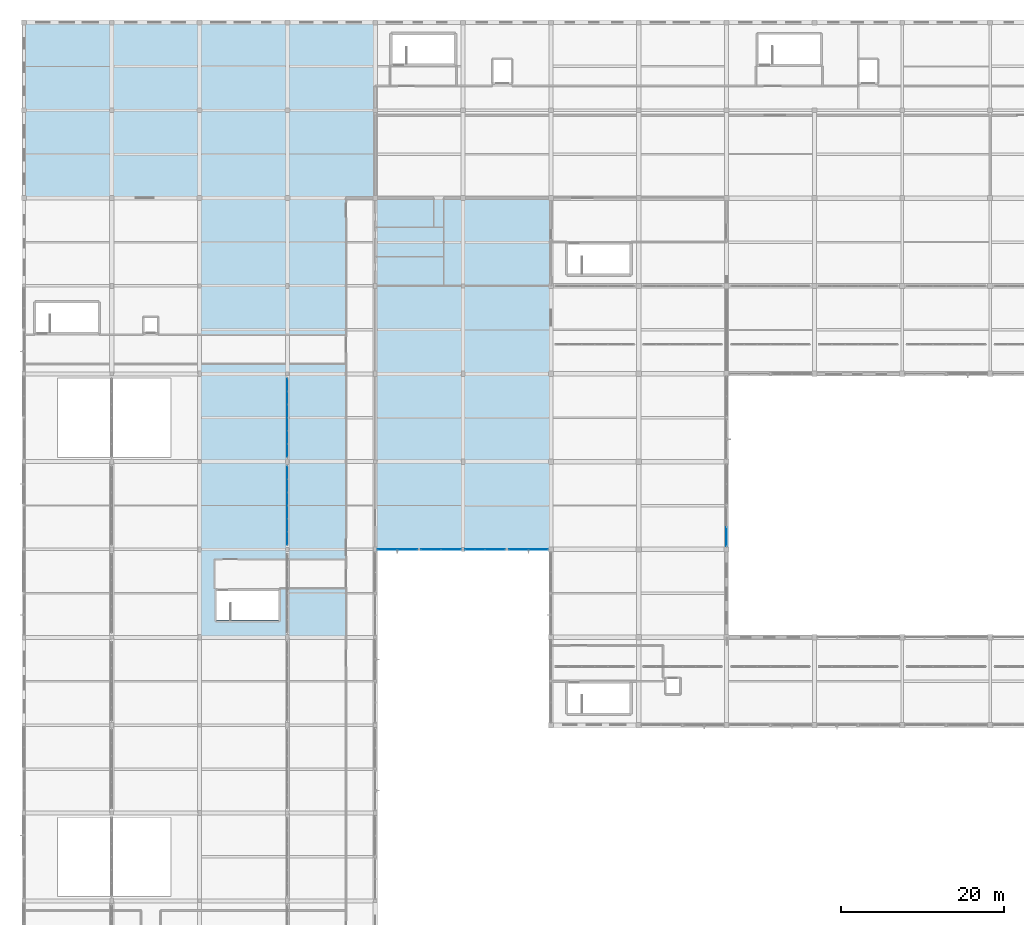
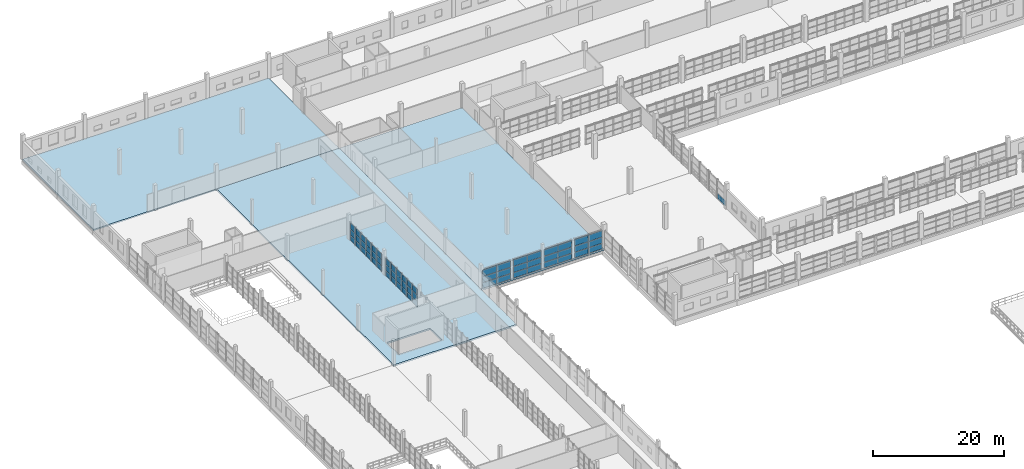
# One storey, part 90 of 142: 61 plates, 3 slabs, 7 elements without a shape of their own.
"""IFC4 building model written with IfcOpenShell, lengths in metres."""

from ifc_helpers import new_model, si_unit, direction, frame, origin, origin_2d, place, context, subcontext, project, spatial, polyline, rectangle, outline, extrude, material, layer, layer_set, type_object, element, aggregate, save


model = new_model("IFC4")

# Units and contexts
model_context = context("Model", 3, precision=1e-05, world=origin(), true_north=direction((0.0, 1.0)))
body_context = subcontext(model_context, "Body", "Model", "MODEL_VIEW")
ifc_project = project(units=[si_unit("LENGTHUNIT", "METRE"), si_unit("AREAUNIT", "SQUARE_METRE"), si_unit("VOLUMEUNIT", "CUBIC_METRE"), si_unit("PLANEANGLEUNIT", "RADIAN"), si_unit("MASSUNIT", "GRAM", prefix="KILO")], contexts=[model_context])

# Site, building, storey
site_placement = place(None, origin())
site = spatial("IfcSite", under=ifc_project, at=site_placement, CompositionType="ELEMENT")
building_placement = place(site_placement, origin())
building = spatial("IfcBuilding", under=site, at=building_placement, Name="Zwinboog Wholesale Market", CompositionType="ELEMENT")
storey_placement = place(building_placement, frame((0.0, 0.0, 5.39990234375)))
storey = spatial("IfcBuildingStorey", under=building, at=storey_placement, Name="L01", CompositionType="ELEMENT", Elevation=5.39990234375)

# Slabs
ifc_material_1 = material(Name="Precast concrete C45/55", Category="concrete")
ifc_layer_1 = layer(ifc_material_1, 0.2548828125)
ifc_layer_set_1 = layer_set([ifc_layer_1], Name="Precast concrete C45/55")
slab_type_1 = type_object("IfcSlabType", Name="SLT-FL-255", PredefinedType="FLOOR", material=ifc_layer_set_1)
slab_1_placement = place(storey_placement, frame((0.0, 0.0, -0.2548828125)))
element("IfcSlab", 1, at=slab_1_placement, inside=storey, type_object=slab_type_1, Name="SF-255 (SLB-L01-043)", PredefinedType="FLOOR", context=body_context, shape_type="SweptSolid", body=[
    extrude(outline(polyline([(0.0, 108.0), (43.199951171875, 108.0), (43.199951171875, 129.60009765625), (0.0, 129.60009765625), (0.0, 108.0)])), origin(), (0.0, 0.0, 1.0), 0.2548828125),
])
ifc_layer_2 = layer(ifc_material_1, 0.304931640625)
ifc_layer_set_2 = layer_set([ifc_layer_2], Name="Precast concrete C45/55")
slab_type_2 = type_object("IfcSlabType", Name="SLT-FL-305", PredefinedType="FLOOR", material=ifc_layer_set_2)
slab_2_placement = place(storey_placement, frame((0.0, 0.0, -0.304931640625)))
element("IfcSlab", 2, at=slab_2_placement, inside=storey, type_object=slab_type_2, Name="SF-305 (SLB-L01-033)", PredefinedType="FLOOR", context=body_context, shape_type="SweptSolid", body=[
    extrude(outline(polyline([(21.60009765625, 54.0), (43.199951171875, 54.0), (43.199951171875, 108.0), (21.60009765625, 108.0), (21.60009765625, 54.0)]), holes=[polyline([(23.699951171875, 56.10009765625), (31.300048828125, 56.10009765625), (31.300048828125, 59.699951171875), (23.699951171875, 59.699951171875), (23.699951171875, 56.10009765625)])]), origin(), (0.0, 0.0, 1.0), 0.304931640625),
])
ifc_layer_3 = layer(ifc_material_1, 0.33203125)
ifc_layer_set_3 = layer_set([ifc_layer_3], Name="Precast concrete C45/55")
slab_type_3 = type_object("IfcSlabType", Name="SLT-FL-332", PredefinedType="FLOOR", material=ifc_layer_set_3)
slab_3_placement = place(storey_placement, frame((0.0, 0.0, -0.331787109375)))
element("IfcSlab", 3, at=slab_3_placement, inside=storey, type_object=slab_type_3, Name="SF-332 (SLB-L01-034)", PredefinedType="FLOOR", context=body_context, shape_type="SweptSolid", body=[
    extrude(outline(polyline([(43.199951171875, 64.800048828125), (64.800048828125, 64.800048828125), (64.800048828125, 108.0), (43.199951171875, 108.0), (43.199951171875, 64.800048828125)])), origin(), (0.0, 0.0, 1.0), 0.331787109375),
])

# Curtain wall, plates
ifc_material_2 = material(Name="Aluminium thermally broken curtain wall", Category="aluminium")
curtain_wall_type_1 = type_object("IfcCurtainWallType", Name="CWT-HALL-24", PredefinedType="USERDEFINED", material=ifc_material_2)
curtain_wall_1_placement = place(storey_placement, origin())
curtain_wall_1 = element("IfcCurtainWall", 4, at=curtain_wall_1_placement, inside=storey, type_object=curtain_wall_type_1, Name="CW-03 (CW-L01-081)", ObjectType="UNITIZED_CURTAIN_WALL", PredefinedType="USERDEFINED")
ifc_material_3 = material(Name="Double low-e insulated glazing", Category="glass")
ifc_layer_4 = layer(ifc_material_3, 0.031982421875)
ifc_layer_set_4 = layer_set([ifc_layer_4], Name="Double low-e insulated glazing")
plate_type_1 = type_object("IfcPlateType", Name="CWP-IGU-32", PredefinedType="CURTAIN_PANEL", material=ifc_layer_set_4)
plate_1_placement = place(storey_placement, frame((44.68115234375, 64.800048828125, 0.065185546875), z_axis=(0.0, 0.0, 1.0), x_axis=(1.0, 0.0, 0.0)))
plate_1 = element("IfcPlate", 5, at=plate_1_placement, type_object=plate_type_1, Name="CW-03 panel 1.1", PredefinedType="CURTAIN_PANEL", context=body_context, shape_type="SweptSolid", body=[
    extrude(rectangle(XDim=2.392578125, YDim=0.031982421875, at=origin_2d()), origin(), (0.0, 0.0, 1.0), 1.00244140625),
])
plate_2_placement = place(storey_placement, frame((44.68115234375, 64.800048828125, 1.132568359375), z_axis=(0.0, 0.0, 1.0), x_axis=(1.0, 0.0, 0.0)))
plate_2 = element("IfcPlate", 6, at=plate_2_placement, type_object=plate_type_1, Name="CW-03 panel 1.2", PredefinedType="CURTAIN_PANEL", context=body_context, shape_type="SweptSolid", body=[
    extrude(rectangle(XDim=2.392578125, YDim=0.031982421875, at=origin_2d()), origin(), (0.0, 0.0, 1.0), 1.0849609375),
])
plate_3_placement = place(storey_placement, frame((44.68115234375, 64.800048828125, 2.282470703125), z_axis=(0.0, 0.0, 1.0), x_axis=(1.0, 0.0, 0.0)))
plate_3 = element("IfcPlate", 7, at=plate_3_placement, type_object=plate_type_1, Name="CW-03 panel 1.3", PredefinedType="CURTAIN_PANEL", context=body_context, shape_type="SweptSolid", body=[
    extrude(rectangle(XDim=2.392578125, YDim=0.031982421875, at=origin_2d()), origin(), (0.0, 0.0, 1.0), 1.1826171875),
])
plate_4_placement = place(storey_placement, frame((47.138671875, 64.800048828125, 0.065185546875), z_axis=(0.0, 0.0, 1.0), x_axis=(1.0, 0.0, 0.0)))
plate_4 = element("IfcPlate", 8, at=plate_4_placement, type_object=plate_type_1, Name="CW-03 panel 2.1", PredefinedType="CURTAIN_PANEL", context=body_context, shape_type="SweptSolid", body=[
    extrude(rectangle(XDim=2.392578125, YDim=0.031982421875, at=origin_2d()), origin(), (0.0, 0.0, 1.0), 1.00244140625),
])
plate_5_placement = place(storey_placement, frame((47.138671875, 64.800048828125, 1.132568359375), z_axis=(0.0, 0.0, 1.0), x_axis=(1.0, 0.0, 0.0)))
plate_5 = element("IfcPlate", 9, at=plate_5_placement, type_object=plate_type_1, Name="CW-03 panel 2.2", PredefinedType="CURTAIN_PANEL", context=body_context, shape_type="SweptSolid", body=[
    extrude(rectangle(XDim=2.392578125, YDim=0.031982421875, at=origin_2d()), origin(), (0.0, 0.0, 1.0), 1.0849609375),
])
plate_6_placement = place(storey_placement, frame((47.138671875, 64.800048828125, 2.282470703125), z_axis=(0.0, 0.0, 1.0), x_axis=(1.0, 0.0, 0.0)))
plate_6 = element("IfcPlate", 10, at=plate_6_placement, type_object=plate_type_1, Name="CW-03 panel 2.3", PredefinedType="CURTAIN_PANEL", context=body_context, shape_type="SweptSolid", body=[
    extrude(rectangle(XDim=2.392578125, YDim=0.031982421875, at=origin_2d()), origin(), (0.0, 0.0, 1.0), 1.1826171875),
])
aggregate(curtain_wall_1, [plate_1, plate_2, plate_3, plate_4, plate_5, plate_6])

curtain_wall_type_2 = type_object("IfcCurtainWallType", Name="CWT-GAL-16", PredefinedType="USERDEFINED", material=ifc_material_2)
curtain_wall_2_placement = place(storey_placement, origin())
curtain_wall_2 = element("IfcCurtainWall", 11, at=curtain_wall_2_placement, inside=storey, type_object=curtain_wall_type_2, Name="CW-04 (CW-L01-082)", ObjectType="UNITIZED_CURTAIN_WALL", PredefinedType="USERDEFINED")
plate_7_placement = place(storey_placement, frame((50.06005859375, 64.800048828125, 0.06005859375), z_axis=(0.0, 0.0, 1.0), x_axis=(1.0, 0.0, 0.0)))
plate_7 = element("IfcPlate", 12, at=plate_7_placement, type_object=plate_type_1, Name="CW-04 panel 1.1", PredefinedType="CURTAIN_PANEL", context=body_context, shape_type="SweptSolid", body=[
    extrude(rectangle(XDim=2.39990234375, YDim=0.031982421875, at=origin_2d()), origin(), (0.0, 0.0, 1.0), 1.010009765625),
])
plate_8_placement = place(storey_placement, frame((50.06005859375, 64.800048828125, 1.1298828125), z_axis=(0.0, 0.0, 1.0), x_axis=(1.0, 0.0, 0.0)))
plate_8 = element("IfcPlate", 13, at=plate_8_placement, type_object=plate_type_1, Name="CW-04 panel 1.2", PredefinedType="CURTAIN_PANEL", context=body_context, shape_type="SweptSolid", body=[
    extrude(rectangle(XDim=2.39990234375, YDim=0.031982421875, at=origin_2d()), origin(), (0.0, 0.0, 1.0), 1.090087890625),
])
plate_9_placement = place(storey_placement, frame((50.06005859375, 64.800048828125, 2.280029296875), z_axis=(0.0, 0.0, 1.0), x_axis=(1.0, 0.0, 0.0)))
plate_9 = element("IfcPlate", 14, at=plate_9_placement, type_object=plate_type_1, Name="CW-04 panel 1.3", PredefinedType="CURTAIN_PANEL", context=body_context, shape_type="SweptSolid", body=[
    extrude(rectangle(XDim=2.39990234375, YDim=0.031982421875, at=origin_2d()), origin(), (0.0, 0.0, 1.0), 1.18994140625),
])
plate_10_placement = place(storey_placement, frame((52.52001953125, 64.800048828125, 0.06005859375), z_axis=(0.0, 0.0, 1.0), x_axis=(1.0, 0.0, 0.0)))
plate_10 = element("IfcPlate", 15, at=plate_10_placement, type_object=plate_type_1, Name="CW-04 panel 2.1", PredefinedType="CURTAIN_PANEL", context=body_context, shape_type="SweptSolid", body=[
    extrude(rectangle(XDim=2.39990234375, YDim=0.031982421875, at=origin_2d()), origin(), (0.0, 0.0, 1.0), 1.010009765625),
])
plate_11_placement = place(storey_placement, frame((52.52001953125, 64.800048828125, 1.1298828125), z_axis=(0.0, 0.0, 1.0), x_axis=(1.0, 0.0, 0.0)))
plate_11 = element("IfcPlate", 16, at=plate_11_placement, type_object=plate_type_1, Name="CW-04 panel 2.2", PredefinedType="CURTAIN_PANEL", context=body_context, shape_type="SweptSolid", body=[
    extrude(rectangle(XDim=2.39990234375, YDim=0.031982421875, at=origin_2d()), origin(), (0.0, 0.0, 1.0), 1.090087890625),
])
plate_12_placement = place(storey_placement, frame((52.52001953125, 64.800048828125, 2.280029296875), z_axis=(0.0, 0.0, 1.0), x_axis=(1.0, 0.0, 0.0)))
plate_12 = element("IfcPlate", 17, at=plate_12_placement, type_object=plate_type_1, Name="CW-04 panel 2.3", PredefinedType="CURTAIN_PANEL", context=body_context, shape_type="SweptSolid", body=[
    extrude(rectangle(XDim=2.39990234375, YDim=0.031982421875, at=origin_2d()), origin(), (0.0, 0.0, 1.0), 1.18994140625),
])
aggregate(curtain_wall_2, [plate_7, plate_8, plate_9, plate_10, plate_11, plate_12])

curtain_wall_type_3 = type_object("IfcCurtainWallType", Name="CWT-CAFE-22", PredefinedType="USERDEFINED", material=ifc_material_2)
curtain_wall_3_placement = place(storey_placement, origin())
curtain_wall_3 = element("IfcCurtainWall", 18, at=curtain_wall_3_placement, inside=storey, type_object=curtain_wall_type_3, Name="CW-05 (CW-L01-083)", ObjectType="STOREFRONT_GLAZING", PredefinedType="USERDEFINED")
plate_13_placement = place(storey_placement, frame((55.481201171875, 64.800048828125, 0.065185546875), z_axis=(0.0, 0.0, 1.0), x_axis=(1.0, 0.0, 0.0)))
plate_13 = element("IfcPlate", 19, at=plate_13_placement, type_object=plate_type_1, Name="CW-05 panel 1.1", PredefinedType="CURTAIN_PANEL", context=body_context, shape_type="SweptSolid", body=[
    extrude(rectangle(XDim=2.392578125, YDim=0.031982421875, at=origin_2d()), origin(), (0.0, 0.0, 1.0), 1.00244140625),
])
plate_14_placement = place(storey_placement, frame((55.481201171875, 64.800048828125, 1.132568359375), z_axis=(0.0, 0.0, 1.0), x_axis=(1.0, 0.0, 0.0)))
plate_14 = element("IfcPlate", 20, at=plate_14_placement, type_object=plate_type_1, Name="CW-05 panel 1.2", PredefinedType="CURTAIN_PANEL", context=body_context, shape_type="SweptSolid", body=[
    extrude(rectangle(XDim=2.392578125, YDim=0.031982421875, at=origin_2d()), origin(), (0.0, 0.0, 1.0), 1.0849609375),
])
plate_15_placement = place(storey_placement, frame((55.481201171875, 64.800048828125, 2.282470703125), z_axis=(0.0, 0.0, 1.0), x_axis=(1.0, 0.0, 0.0)))
plate_15 = element("IfcPlate", 21, at=plate_15_placement, type_object=plate_type_1, Name="CW-05 panel 1.3", PredefinedType="CURTAIN_PANEL", context=body_context, shape_type="SweptSolid", body=[
    extrude(rectangle(XDim=2.392578125, YDim=0.031982421875, at=origin_2d()), origin(), (0.0, 0.0, 1.0), 1.1826171875),
])
plate_16_placement = place(storey_placement, frame((57.938720703125, 64.800048828125, 0.065185546875), z_axis=(0.0, 0.0, 1.0), x_axis=(1.0, 0.0, 0.0)))
plate_16 = element("IfcPlate", 22, at=plate_16_placement, type_object=plate_type_1, Name="CW-05 panel 2.1", PredefinedType="CURTAIN_PANEL", context=body_context, shape_type="SweptSolid", body=[
    extrude(rectangle(XDim=2.392578125, YDim=0.031982421875, at=origin_2d()), origin(), (0.0, 0.0, 1.0), 1.00244140625),
])
plate_17_placement = place(storey_placement, frame((57.938720703125, 64.800048828125, 1.132568359375), z_axis=(0.0, 0.0, 1.0), x_axis=(1.0, 0.0, 0.0)))
plate_17 = element("IfcPlate", 23, at=plate_17_placement, type_object=plate_type_1, Name="CW-05 panel 2.2", PredefinedType="CURTAIN_PANEL", context=body_context, shape_type="SweptSolid", body=[
    extrude(rectangle(XDim=2.392578125, YDim=0.031982421875, at=origin_2d()), origin(), (0.0, 0.0, 1.0), 1.0849609375),
])
plate_18_placement = place(storey_placement, frame((57.938720703125, 64.800048828125, 2.282470703125), z_axis=(0.0, 0.0, 1.0), x_axis=(1.0, 0.0, 0.0)))
plate_18 = element("IfcPlate", 24, at=plate_18_placement, type_object=plate_type_1, Name="CW-05 panel 2.3", PredefinedType="CURTAIN_PANEL", context=body_context, shape_type="SweptSolid", body=[
    extrude(rectangle(XDim=2.392578125, YDim=0.031982421875, at=origin_2d()), origin(), (0.0, 0.0, 1.0), 1.1826171875),
])
aggregate(curtain_wall_3, [plate_13, plate_14, plate_15, plate_16, plate_17, plate_18])

curtain_wall_type_4 = type_object("IfcCurtainWallType", Name="CWT-OFF-15", PredefinedType="USERDEFINED", material=ifc_material_2)
curtain_wall_4_placement = place(storey_placement, origin())
curtain_wall_4 = element("IfcCurtainWall", 25, at=curtain_wall_4_placement, inside=storey, type_object=curtain_wall_type_4, Name="CW-06 (CW-L01-084)", ObjectType="UNITIZED_CURTAIN_WALL", PredefinedType="USERDEFINED")
plate_19_placement = place(storey_placement, frame((60.8349609375, 64.800048828125, 0.06005859375), z_axis=(0.0, 0.0, 1.0), x_axis=(1.0, 0.0, 0.0)))
plate_19 = element("IfcPlate", 26, at=plate_19_placement, type_object=plate_type_1, Name="CW-06 panel 1.1", PredefinedType="CURTAIN_PANEL", context=body_context, shape_type="SweptSolid", body=[
    extrude(rectangle(XDim=2.35009765625, YDim=0.031982421875, at=origin_2d()), origin(), (0.0, 0.0, 1.0), 1.010009765625),
])
plate_20_placement = place(storey_placement, frame((60.8349609375, 64.800048828125, 1.1298828125), z_axis=(0.0, 0.0, 1.0), x_axis=(1.0, 0.0, 0.0)))
plate_20 = element("IfcPlate", 27, at=plate_20_placement, type_object=plate_type_1, Name="CW-06 panel 1.2", PredefinedType="CURTAIN_PANEL", context=body_context, shape_type="SweptSolid", body=[
    extrude(rectangle(XDim=2.35009765625, YDim=0.031982421875, at=origin_2d()), origin(), (0.0, 0.0, 1.0), 1.090087890625),
])
plate_21_placement = place(storey_placement, frame((60.8349609375, 64.800048828125, 2.280029296875), z_axis=(0.0, 0.0, 1.0), x_axis=(1.0, 0.0, 0.0)))
plate_21 = element("IfcPlate", 28, at=plate_21_placement, type_object=plate_type_1, Name="CW-06 panel 1.3", PredefinedType="CURTAIN_PANEL", context=body_context, shape_type="SweptSolid", body=[
    extrude(rectangle(XDim=2.35009765625, YDim=0.031982421875, at=origin_2d()), origin(), (0.0, 0.0, 1.0), 1.18994140625),
])
plate_22_placement = place(storey_placement, frame((63.2451171875, 64.800048828125, 0.06005859375), z_axis=(0.0, 0.0, 1.0), x_axis=(1.0, 0.0, 0.0)))
plate_22 = element("IfcPlate", 29, at=plate_22_placement, type_object=plate_type_1, Name="CW-06 panel 2.1", PredefinedType="CURTAIN_PANEL", context=body_context, shape_type="SweptSolid", body=[
    extrude(rectangle(XDim=2.35009765625, YDim=0.031982421875, at=origin_2d()), origin(), (0.0, 0.0, 1.0), 1.010009765625),
])
plate_23_placement = place(storey_placement, frame((63.2451171875, 64.800048828125, 1.1298828125), z_axis=(0.0, 0.0, 1.0), x_axis=(1.0, 0.0, 0.0)))
plate_23 = element("IfcPlate", 30, at=plate_23_placement, type_object=plate_type_1, Name="CW-06 panel 2.2", PredefinedType="CURTAIN_PANEL", context=body_context, shape_type="SweptSolid", body=[
    extrude(rectangle(XDim=2.35009765625, YDim=0.031982421875, at=origin_2d()), origin(), (0.0, 0.0, 1.0), 1.090087890625),
])
plate_24_placement = place(storey_placement, frame((63.2451171875, 64.800048828125, 2.280029296875), z_axis=(0.0, 0.0, 1.0), x_axis=(1.0, 0.0, 0.0)))
plate_24 = element("IfcPlate", 31, at=plate_24_placement, type_object=plate_type_1, Name="CW-06 panel 2.3", PredefinedType="CURTAIN_PANEL", context=body_context, shape_type="SweptSolid", body=[
    extrude(rectangle(XDim=2.35009765625, YDim=0.031982421875, at=origin_2d()), origin(), (0.0, 0.0, 1.0), 1.18994140625),
])
aggregate(curtain_wall_4, [plate_19, plate_20, plate_21, plate_22, plate_23, plate_24])

# Curtain wall, plate
curtain_wall_type_5 = type_object("IfcCurtainWallType", Name="CWT-STALL-18", PredefinedType="USERDEFINED", material=ifc_material_2)
curtain_wall_5_placement = place(storey_placement, origin())
curtain_wall_5 = element("IfcCurtainWall", 32, at=curtain_wall_5_placement, inside=storey, type_object=curtain_wall_type_5, Name="CW-01 (CW-L01-091)", ObjectType="STOREFRONT_GLAZING", PredefinedType="USERDEFINED")
ifc_material_4 = material(Name="Triple solar-control insulated glazing", Category="glass")
ifc_layer_5 = layer(ifc_material_4, 0.0380859375)
ifc_layer_set_5 = layer_set([ifc_layer_5], Name="Triple solar-control insulated glazing")
plate_type_2 = type_object("IfcPlateType", Name="CWP-IGU-38", PredefinedType="CURTAIN_PANEL", material=ifc_layer_set_5)
plate_25_placement = place(storey_placement, frame((86.39990234375, 66.356201171875, 0.065185546875), z_axis=(0.0, 0.0, 1.0), x_axis=(0.0, 1.0, 0.0)))
plate_25 = element("IfcPlate", 33, at=plate_25_placement, type_object=plate_type_2, Name="CW-01 panel 1.1", PredefinedType="CURTAIN_PANEL", context=body_context, shape_type="SweptSolid", body=[
    extrude(rectangle(XDim=2.342529296875, YDim=0.0380859375, at=origin_2d()), origin(), (0.0, 0.0, 1.0), 1.00244140625),
])
aggregate(curtain_wall_5, [plate_25])

# Curtain wall, plates
curtain_wall_type_6 = type_object("IfcCurtainWallType", Name="CWT-INT-STALL", PredefinedType="USERDEFINED", material=ifc_material_2)
curtain_wall_6_placement = place(storey_placement, origin())
curtain_wall_6 = element("IfcCurtainWall", 34, at=curtain_wall_6_placement, inside=storey, type_object=curtain_wall_type_6, Name="CW-07 (CW-STL-269)", ObjectType="STOREFRONT_GLAZING", PredefinedType="USERDEFINED")
ifc_material_5 = material(Name="Tempered laminated market stall glazing", Category="glass")
ifc_layer_6 = layer(ifc_material_5, 0.01611328125)
ifc_layer_set_6 = layer_set([ifc_layer_6], Name="Tempered laminated market stall glazing")
plate_type_3 = type_object("IfcPlateType", Name="CWP-INT-16", PredefinedType="CURTAIN_PANEL", material=ifc_layer_set_6)
plate_26_placement = place(storey_placement, frame((32.39990234375, 66.17333984375, 0.06005859375), z_axis=(0.0, 0.0, 1.0), x_axis=(0.0, 1.0, 0.0)))
plate_26 = element("IfcPlate", 35, at=plate_26_placement, type_object=plate_type_3, Name="CW-07 panel 1.1", PredefinedType="CURTAIN_PANEL", context=body_context, shape_type="SweptSolid", body=[
    extrude(rectangle(XDim=1.526611328125, YDim=0.01611328125, at=origin_2d()), origin(), (0.0, 0.0, 1.0), 0.9599609375),
])
plate_27_placement = place(storey_placement, frame((32.39990234375, 66.17333984375, 1.080078125), z_axis=(0.0, 0.0, 1.0), x_axis=(0.0, 1.0, 0.0)))
plate_27 = element("IfcPlate", 36, at=plate_27_placement, type_object=plate_type_3, Name="CW-07 panel 1.2", PredefinedType="CURTAIN_PANEL", context=body_context, shape_type="SweptSolid", body=[
    extrude(rectangle(XDim=1.526611328125, YDim=0.01611328125, at=origin_2d()), origin(), (0.0, 0.0, 1.0), 1.090087890625),
])
plate_28_placement = place(storey_placement, frame((32.39990234375, 66.17333984375, 2.22998046875), z_axis=(0.0, 0.0, 1.0), x_axis=(0.0, 1.0, 0.0)))
plate_28 = element("IfcPlate", 37, at=plate_28_placement, type_object=plate_type_3, Name="CW-07 panel 1.3", PredefinedType="CURTAIN_PANEL", context=body_context, shape_type="SweptSolid", body=[
    extrude(rectangle(XDim=1.526611328125, YDim=0.01611328125, at=origin_2d()), origin(), (0.0, 0.0, 1.0), 1.110107421875),
])
plate_29_placement = place(storey_placement, frame((32.39990234375, 67.77490234375, 0.06005859375), z_axis=(0.0, 0.0, 1.0), x_axis=(0.0, 1.0, 0.0)))
plate_29 = element("IfcPlate", 38, at=plate_29_placement, type_object=plate_type_3, Name="CW-07 panel 2.1", PredefinedType="CURTAIN_PANEL", context=body_context, shape_type="SweptSolid", body=[
    extrude(rectangle(XDim=1.556640625, YDim=0.01611328125, at=origin_2d()), origin(), (0.0, 0.0, 1.0), 0.9599609375),
])
plate_30_placement = place(storey_placement, frame((32.39990234375, 67.77490234375, 1.080078125), z_axis=(0.0, 0.0, 1.0), x_axis=(0.0, 1.0, 0.0)))
plate_30 = element("IfcPlate", 39, at=plate_30_placement, type_object=plate_type_3, Name="CW-07 panel 2.2", PredefinedType="CURTAIN_PANEL", context=body_context, shape_type="SweptSolid", body=[
    extrude(rectangle(XDim=1.556640625, YDim=0.01611328125, at=origin_2d()), origin(), (0.0, 0.0, 1.0), 1.090087890625),
])
plate_31_placement = place(storey_placement, frame((32.39990234375, 67.77490234375, 2.22998046875), z_axis=(0.0, 0.0, 1.0), x_axis=(0.0, 1.0, 0.0)))
plate_31 = element("IfcPlate", 40, at=plate_31_placement, type_object=plate_type_3, Name="CW-07 panel 2.3", PredefinedType="CURTAIN_PANEL", context=body_context, shape_type="SweptSolid", body=[
    extrude(rectangle(XDim=1.556640625, YDim=0.01611328125, at=origin_2d()), origin(), (0.0, 0.0, 1.0), 1.110107421875),
])
plate_32_placement = place(storey_placement, frame((32.39990234375, 69.3916015625, 0.06005859375), z_axis=(0.0, 0.0, 1.0), x_axis=(0.0, 1.0, 0.0)))
plate_32 = element("IfcPlate", 41, at=plate_32_placement, type_object=plate_type_3, Name="CW-07 panel 3.1", PredefinedType="CURTAIN_PANEL", context=body_context, shape_type="SweptSolid", body=[
    extrude(rectangle(XDim=1.556640625, YDim=0.01611328125, at=origin_2d()), origin(), (0.0, 0.0, 1.0), 0.9599609375),
])
plate_33_placement = place(storey_placement, frame((32.39990234375, 69.3916015625, 1.080078125), z_axis=(0.0, 0.0, 1.0), x_axis=(0.0, 1.0, 0.0)))
plate_33 = element("IfcPlate", 42, at=plate_33_placement, type_object=plate_type_3, Name="CW-07 panel 3.2", PredefinedType="CURTAIN_PANEL", context=body_context, shape_type="SweptSolid", body=[
    extrude(rectangle(XDim=1.556640625, YDim=0.01611328125, at=origin_2d()), origin(), (0.0, 0.0, 1.0), 1.090087890625),
])
plate_34_placement = place(storey_placement, frame((32.39990234375, 69.3916015625, 2.22998046875), z_axis=(0.0, 0.0, 1.0), x_axis=(0.0, 1.0, 0.0)))
plate_34 = element("IfcPlate", 43, at=plate_34_placement, type_object=plate_type_3, Name="CW-07 panel 3.3", PredefinedType="CURTAIN_PANEL", context=body_context, shape_type="SweptSolid", body=[
    extrude(rectangle(XDim=1.556640625, YDim=0.01611328125, at=origin_2d()), origin(), (0.0, 0.0, 1.0), 1.110107421875),
])
plate_35_placement = place(storey_placement, frame((32.39990234375, 71.00830078125, 0.06005859375), z_axis=(0.0, 0.0, 1.0), x_axis=(0.0, 1.0, 0.0)))
plate_35 = element("IfcPlate", 44, at=plate_35_placement, type_object=plate_type_3, Name="CW-07 panel 4.1", PredefinedType="CURTAIN_PANEL", context=body_context, shape_type="SweptSolid", body=[
    extrude(rectangle(XDim=1.556640625, YDim=0.01611328125, at=origin_2d()), origin(), (0.0, 0.0, 1.0), 0.9599609375),
])
plate_36_placement = place(storey_placement, frame((32.39990234375, 71.00830078125, 1.080078125), z_axis=(0.0, 0.0, 1.0), x_axis=(0.0, 1.0, 0.0)))
plate_36 = element("IfcPlate", 45, at=plate_36_placement, type_object=plate_type_3, Name="CW-07 panel 4.2", PredefinedType="CURTAIN_PANEL", context=body_context, shape_type="SweptSolid", body=[
    extrude(rectangle(XDim=1.556640625, YDim=0.01611328125, at=origin_2d()), origin(), (0.0, 0.0, 1.0), 1.090087890625),
])
plate_37_placement = place(storey_placement, frame((32.39990234375, 71.00830078125, 2.22998046875), z_axis=(0.0, 0.0, 1.0), x_axis=(0.0, 1.0, 0.0)))
plate_37 = element("IfcPlate", 46, at=plate_37_placement, type_object=plate_type_3, Name="CW-07 panel 4.3", PredefinedType="CURTAIN_PANEL", context=body_context, shape_type="SweptSolid", body=[
    extrude(rectangle(XDim=1.556640625, YDim=0.01611328125, at=origin_2d()), origin(), (0.0, 0.0, 1.0), 1.110107421875),
])
plate_38_placement = place(storey_placement, frame((32.39990234375, 72.625, 0.06005859375), z_axis=(0.0, 0.0, 1.0), x_axis=(0.0, 1.0, 0.0)))
plate_38 = element("IfcPlate", 47, at=plate_38_placement, type_object=plate_type_3, Name="CW-07 panel 5.1", PredefinedType="CURTAIN_PANEL", context=body_context, shape_type="SweptSolid", body=[
    extrude(rectangle(XDim=1.556640625, YDim=0.01611328125, at=origin_2d()), origin(), (0.0, 0.0, 1.0), 0.9599609375),
])
plate_39_placement = place(storey_placement, frame((32.39990234375, 72.625, 1.080078125), z_axis=(0.0, 0.0, 1.0), x_axis=(0.0, 1.0, 0.0)))
plate_39 = element("IfcPlate", 48, at=plate_39_placement, type_object=plate_type_3, Name="CW-07 panel 5.2", PredefinedType="CURTAIN_PANEL", context=body_context, shape_type="SweptSolid", body=[
    extrude(rectangle(XDim=1.556640625, YDim=0.01611328125, at=origin_2d()), origin(), (0.0, 0.0, 1.0), 1.090087890625),
])
plate_40_placement = place(storey_placement, frame((32.39990234375, 72.625, 2.22998046875), z_axis=(0.0, 0.0, 1.0), x_axis=(0.0, 1.0, 0.0)))
plate_40 = element("IfcPlate", 49, at=plate_40_placement, type_object=plate_type_3, Name="CW-07 panel 5.3", PredefinedType="CURTAIN_PANEL", context=body_context, shape_type="SweptSolid", body=[
    extrude(rectangle(XDim=1.556640625, YDim=0.01611328125, at=origin_2d()), origin(), (0.0, 0.0, 1.0), 1.110107421875),
])
plate_41_placement = place(storey_placement, frame((32.39990234375, 74.2265625, 0.06005859375), z_axis=(0.0, 0.0, 1.0), x_axis=(0.0, 1.0, 0.0)))
plate_41 = element("IfcPlate", 50, at=plate_41_placement, type_object=plate_type_3, Name="CW-07 panel 6.1", PredefinedType="CURTAIN_PANEL", context=body_context, shape_type="SweptSolid", body=[
    extrude(rectangle(XDim=1.526611328125, YDim=0.01611328125, at=origin_2d()), origin(), (0.0, 0.0, 1.0), 0.9599609375),
])
plate_42_placement = place(storey_placement, frame((32.39990234375, 74.2265625, 1.080078125), z_axis=(0.0, 0.0, 1.0), x_axis=(0.0, 1.0, 0.0)))
plate_42 = element("IfcPlate", 51, at=plate_42_placement, type_object=plate_type_3, Name="CW-07 panel 6.2", PredefinedType="CURTAIN_PANEL", context=body_context, shape_type="SweptSolid", body=[
    extrude(rectangle(XDim=1.526611328125, YDim=0.01611328125, at=origin_2d()), origin(), (0.0, 0.0, 1.0), 1.090087890625),
])
plate_43_placement = place(storey_placement, frame((32.39990234375, 74.2265625, 2.22998046875), z_axis=(0.0, 0.0, 1.0), x_axis=(0.0, 1.0, 0.0)))
plate_43 = element("IfcPlate", 52, at=plate_43_placement, type_object=plate_type_3, Name="CW-07 panel 6.3", PredefinedType="CURTAIN_PANEL", context=body_context, shape_type="SweptSolid", body=[
    extrude(rectangle(XDim=1.526611328125, YDim=0.01611328125, at=origin_2d()), origin(), (0.0, 0.0, 1.0), 1.110107421875),
])
aggregate(curtain_wall_6, [plate_26, plate_27, plate_28, plate_29, plate_30, plate_31, plate_32, plate_33, plate_34, plate_35, plate_36, plate_37, plate_38, plate_39, plate_40, plate_41, plate_42, plate_43])

curtain_wall_7_placement = place(storey_placement, origin())
curtain_wall_7 = element("IfcCurtainWall", 53, at=curtain_wall_7_placement, inside=storey, type_object=curtain_wall_type_6, Name="CW-07 (CW-STL-270)", ObjectType="STOREFRONT_GLAZING", PredefinedType="USERDEFINED")
plate_44_placement = place(storey_placement, frame((32.39990234375, 76.973388671875, 0.06005859375), z_axis=(0.0, 0.0, 1.0), x_axis=(0.0, 1.0, 0.0)))
plate_44 = element("IfcPlate", 54, at=plate_44_placement, type_object=plate_type_3, Name="CW-07 panel 1.1", PredefinedType="CURTAIN_PANEL", context=body_context, shape_type="SweptSolid", body=[
    extrude(rectangle(XDim=1.526611328125, YDim=0.01611328125, at=origin_2d()), origin(), (0.0, 0.0, 1.0), 0.9599609375),
])
plate_45_placement = place(storey_placement, frame((32.39990234375, 76.973388671875, 1.080078125), z_axis=(0.0, 0.0, 1.0), x_axis=(0.0, 1.0, 0.0)))
plate_45 = element("IfcPlate", 55, at=plate_45_placement, type_object=plate_type_3, Name="CW-07 panel 1.2", PredefinedType="CURTAIN_PANEL", context=body_context, shape_type="SweptSolid", body=[
    extrude(rectangle(XDim=1.526611328125, YDim=0.01611328125, at=origin_2d()), origin(), (0.0, 0.0, 1.0), 1.090087890625),
])
plate_46_placement = place(storey_placement, frame((32.39990234375, 76.973388671875, 2.22998046875), z_axis=(0.0, 0.0, 1.0), x_axis=(0.0, 1.0, 0.0)))
plate_46 = element("IfcPlate", 56, at=plate_46_placement, type_object=plate_type_3, Name="CW-07 panel 1.3", PredefinedType="CURTAIN_PANEL", context=body_context, shape_type="SweptSolid", body=[
    extrude(rectangle(XDim=1.526611328125, YDim=0.01611328125, at=origin_2d()), origin(), (0.0, 0.0, 1.0), 1.110107421875),
])
plate_47_placement = place(storey_placement, frame((32.39990234375, 78.574951171875, 0.06005859375), z_axis=(0.0, 0.0, 1.0), x_axis=(0.0, 1.0, 0.0)))
plate_47 = element("IfcPlate", 57, at=plate_47_placement, type_object=plate_type_3, Name="CW-07 panel 2.1", PredefinedType="CURTAIN_PANEL", context=body_context, shape_type="SweptSolid", body=[
    extrude(rectangle(XDim=1.556640625, YDim=0.01611328125, at=origin_2d()), origin(), (0.0, 0.0, 1.0), 0.9599609375),
])
plate_48_placement = place(storey_placement, frame((32.39990234375, 78.574951171875, 1.080078125), z_axis=(0.0, 0.0, 1.0), x_axis=(0.0, 1.0, 0.0)))
plate_48 = element("IfcPlate", 58, at=plate_48_placement, type_object=plate_type_3, Name="CW-07 panel 2.2", PredefinedType="CURTAIN_PANEL", context=body_context, shape_type="SweptSolid", body=[
    extrude(rectangle(XDim=1.556640625, YDim=0.01611328125, at=origin_2d()), origin(), (0.0, 0.0, 1.0), 1.090087890625),
])
plate_49_placement = place(storey_placement, frame((32.39990234375, 78.574951171875, 2.22998046875), z_axis=(0.0, 0.0, 1.0), x_axis=(0.0, 1.0, 0.0)))
plate_49 = element("IfcPlate", 59, at=plate_49_placement, type_object=plate_type_3, Name="CW-07 panel 2.3", PredefinedType="CURTAIN_PANEL", context=body_context, shape_type="SweptSolid", body=[
    extrude(rectangle(XDim=1.556640625, YDim=0.01611328125, at=origin_2d()), origin(), (0.0, 0.0, 1.0), 1.110107421875),
])
plate_50_placement = place(storey_placement, frame((32.39990234375, 80.191650390625, 0.06005859375), z_axis=(0.0, 0.0, 1.0), x_axis=(0.0, 1.0, 0.0)))
plate_50 = element("IfcPlate", 60, at=plate_50_placement, type_object=plate_type_3, Name="CW-07 panel 3.1", PredefinedType="CURTAIN_PANEL", context=body_context, shape_type="SweptSolid", body=[
    extrude(rectangle(XDim=1.556640625, YDim=0.01611328125, at=origin_2d()), origin(), (0.0, 0.0, 1.0), 0.9599609375),
])
plate_51_placement = place(storey_placement, frame((32.39990234375, 80.191650390625, 1.080078125), z_axis=(0.0, 0.0, 1.0), x_axis=(0.0, 1.0, 0.0)))
plate_51 = element("IfcPlate", 61, at=plate_51_placement, type_object=plate_type_3, Name="CW-07 panel 3.2", PredefinedType="CURTAIN_PANEL", context=body_context, shape_type="SweptSolid", body=[
    extrude(rectangle(XDim=1.556640625, YDim=0.01611328125, at=origin_2d()), origin(), (0.0, 0.0, 1.0), 1.090087890625),
])
plate_52_placement = place(storey_placement, frame((32.39990234375, 80.191650390625, 2.22998046875), z_axis=(0.0, 0.0, 1.0), x_axis=(0.0, 1.0, 0.0)))
plate_52 = element("IfcPlate", 62, at=plate_52_placement, type_object=plate_type_3, Name="CW-07 panel 3.3", PredefinedType="CURTAIN_PANEL", context=body_context, shape_type="SweptSolid", body=[
    extrude(rectangle(XDim=1.556640625, YDim=0.01611328125, at=origin_2d()), origin(), (0.0, 0.0, 1.0), 1.110107421875),
])
plate_53_placement = place(storey_placement, frame((32.39990234375, 81.808349609375, 0.06005859375), z_axis=(0.0, 0.0, 1.0), x_axis=(0.0, 1.0, 0.0)))
plate_53 = element("IfcPlate", 63, at=plate_53_placement, type_object=plate_type_3, Name="CW-07 panel 4.1", PredefinedType="CURTAIN_PANEL", context=body_context, shape_type="SweptSolid", body=[
    extrude(rectangle(XDim=1.556640625, YDim=0.01611328125, at=origin_2d()), origin(), (0.0, 0.0, 1.0), 0.9599609375),
])
plate_54_placement = place(storey_placement, frame((32.39990234375, 81.808349609375, 1.080078125), z_axis=(0.0, 0.0, 1.0), x_axis=(0.0, 1.0, 0.0)))
plate_54 = element("IfcPlate", 64, at=plate_54_placement, type_object=plate_type_3, Name="CW-07 panel 4.2", PredefinedType="CURTAIN_PANEL", context=body_context, shape_type="SweptSolid", body=[
    extrude(rectangle(XDim=1.556640625, YDim=0.01611328125, at=origin_2d()), origin(), (0.0, 0.0, 1.0), 1.090087890625),
])
plate_55_placement = place(storey_placement, frame((32.39990234375, 81.808349609375, 2.22998046875), z_axis=(0.0, 0.0, 1.0), x_axis=(0.0, 1.0, 0.0)))
plate_55 = element("IfcPlate", 65, at=plate_55_placement, type_object=plate_type_3, Name="CW-07 panel 4.3", PredefinedType="CURTAIN_PANEL", context=body_context, shape_type="SweptSolid", body=[
    extrude(rectangle(XDim=1.556640625, YDim=0.01611328125, at=origin_2d()), origin(), (0.0, 0.0, 1.0), 1.110107421875),
])
plate_56_placement = place(storey_placement, frame((32.39990234375, 83.425048828125, 0.06005859375), z_axis=(0.0, 0.0, 1.0), x_axis=(0.0, 1.0, 0.0)))
plate_56 = element("IfcPlate", 66, at=plate_56_placement, type_object=plate_type_3, Name="CW-07 panel 5.1", PredefinedType="CURTAIN_PANEL", context=body_context, shape_type="SweptSolid", body=[
    extrude(rectangle(XDim=1.556640625, YDim=0.01611328125, at=origin_2d()), origin(), (0.0, 0.0, 1.0), 0.9599609375),
])
plate_57_placement = place(storey_placement, frame((32.39990234375, 83.425048828125, 1.080078125), z_axis=(0.0, 0.0, 1.0), x_axis=(0.0, 1.0, 0.0)))
plate_57 = element("IfcPlate", 67, at=plate_57_placement, type_object=plate_type_3, Name="CW-07 panel 5.2", PredefinedType="CURTAIN_PANEL", context=body_context, shape_type="SweptSolid", body=[
    extrude(rectangle(XDim=1.556640625, YDim=0.01611328125, at=origin_2d()), origin(), (0.0, 0.0, 1.0), 1.090087890625),
])
plate_58_placement = place(storey_placement, frame((32.39990234375, 83.425048828125, 2.22998046875), z_axis=(0.0, 0.0, 1.0), x_axis=(0.0, 1.0, 0.0)))
plate_58 = element("IfcPlate", 68, at=plate_58_placement, type_object=plate_type_3, Name="CW-07 panel 5.3", PredefinedType="CURTAIN_PANEL", context=body_context, shape_type="SweptSolid", body=[
    extrude(rectangle(XDim=1.556640625, YDim=0.01611328125, at=origin_2d()), origin(), (0.0, 0.0, 1.0), 1.110107421875),
])
plate_59_placement = place(storey_placement, frame((32.39990234375, 85.026611328125, 0.06005859375), z_axis=(0.0, 0.0, 1.0), x_axis=(0.0, 1.0, 0.0)))
plate_59 = element("IfcPlate", 69, at=plate_59_placement, type_object=plate_type_3, Name="CW-07 panel 6.1", PredefinedType="CURTAIN_PANEL", context=body_context, shape_type="SweptSolid", body=[
    extrude(rectangle(XDim=1.526611328125, YDim=0.01611328125, at=origin_2d()), origin(), (0.0, 0.0, 1.0), 0.9599609375),
])
plate_60_placement = place(storey_placement, frame((32.39990234375, 85.026611328125, 1.080078125), z_axis=(0.0, 0.0, 1.0), x_axis=(0.0, 1.0, 0.0)))
plate_60 = element("IfcPlate", 70, at=plate_60_placement, type_object=plate_type_3, Name="CW-07 panel 6.2", PredefinedType="CURTAIN_PANEL", context=body_context, shape_type="SweptSolid", body=[
    extrude(rectangle(XDim=1.526611328125, YDim=0.01611328125, at=origin_2d()), origin(), (0.0, 0.0, 1.0), 1.090087890625),
])
plate_61_placement = place(storey_placement, frame((32.39990234375, 85.026611328125, 2.22998046875), z_axis=(0.0, 0.0, 1.0), x_axis=(0.0, 1.0, 0.0)))
plate_61 = element("IfcPlate", 71, at=plate_61_placement, type_object=plate_type_3, Name="CW-07 panel 6.3", PredefinedType="CURTAIN_PANEL", context=body_context, shape_type="SweptSolid", body=[
    extrude(rectangle(XDim=1.526611328125, YDim=0.01611328125, at=origin_2d()), origin(), (0.0, 0.0, 1.0), 1.110107421875),
])
aggregate(curtain_wall_7, [plate_44, plate_45, plate_46, plate_47, plate_48, plate_49, plate_50, plate_51, plate_52, plate_53, plate_54, plate_55, plate_56, plate_57, plate_58, plate_59, plate_60, plate_61])

save(model, "model.ifc")
